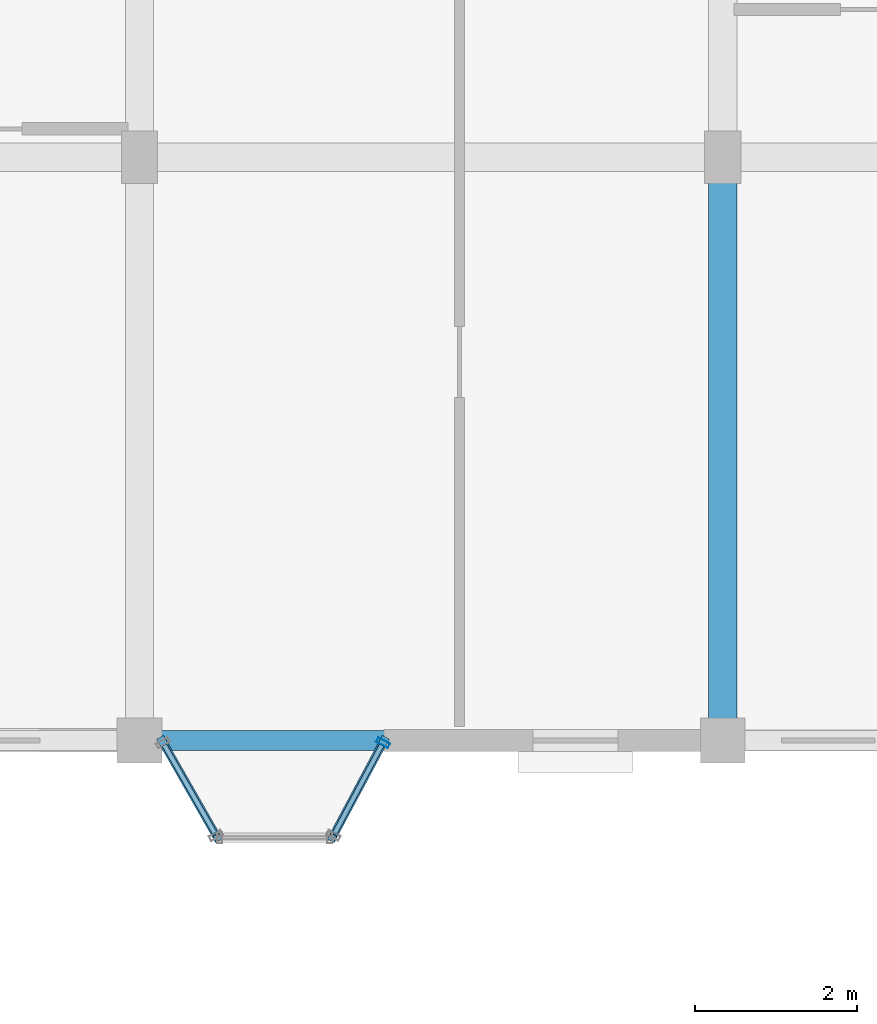
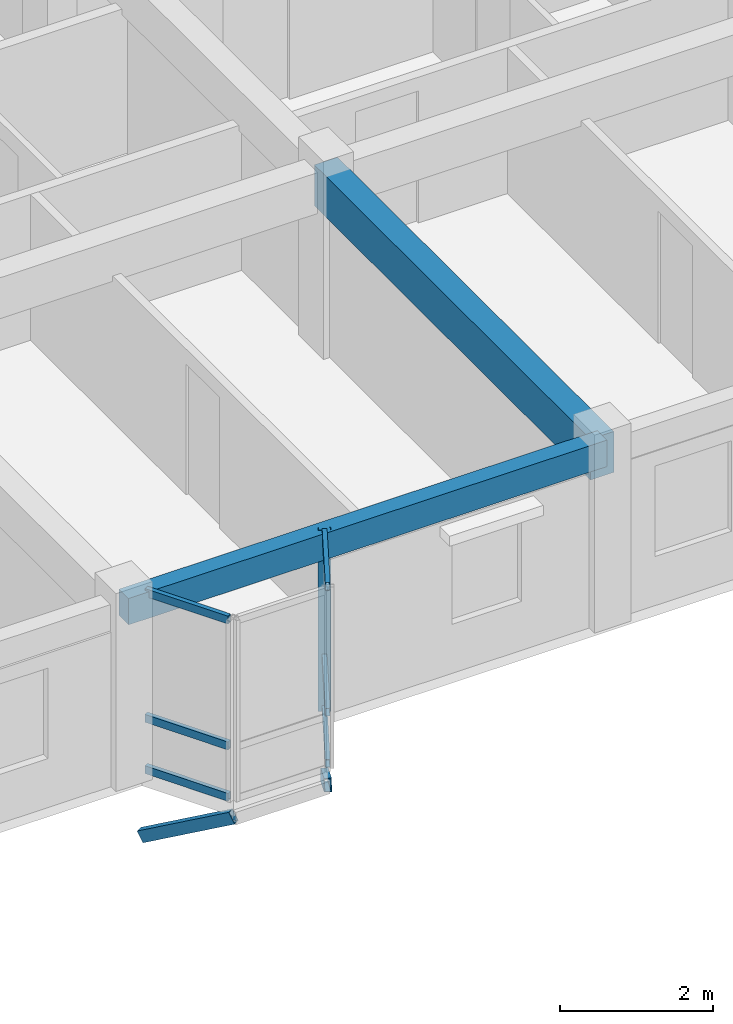
# One storey, part 34 of 77: 9 members, 2 beams, 2 elements without a shape of their own.
"""IFC4 building model written with IfcOpenShell, lengths in metres."""

from ifc_helpers import new_model, si_unit, direction, frame, origin, origin_2d, place, context, subcontext, project, spatial, rectangle, hollow_rectangle, extrude, material, layer, layer_set, material_profile, profile_set, type_object, element, aggregate, save


model = new_model("IFC4")

# Units and contexts
model_context = context("Model", 3, precision=1e-05, world=origin(), true_north=direction((0.0, 1.0)))
body_context = subcontext(model_context, "Body", "Model", "MODEL_VIEW")
ifc_project = project(units=[si_unit("LENGTHUNIT", "METRE"), si_unit("AREAUNIT", "SQUARE_METRE"), si_unit("VOLUMEUNIT", "CUBIC_METRE"), si_unit("PLANEANGLEUNIT", "RADIAN"), si_unit("MASSUNIT", "GRAM", prefix="KILO"), si_unit("THERMODYNAMICTEMPERATUREUNIT", "KELVIN"), si_unit("POWERUNIT", "WATT")], contexts=[model_context])

# Site, building, storey
site_placement = place(None, origin())
site = spatial("IfcSite", under=ifc_project, at=site_placement, CompositionType="ELEMENT")
building_placement = place(site_placement, origin())
building = spatial("IfcBuilding", under=site, at=building_placement, Name="Tavuni Mirador Residences", CompositionType="ELEMENT")
storey_placement = place(building_placement, frame((0.0, 0.0, 10.800048828125)))
storey = spatial("IfcBuildingStorey", under=building, at=storey_placement, Name="L03", CompositionType="ELEMENT", Elevation=10.800048828125)

# Beams
ifc_material_1 = material(Name="Precast concrete C40/50", Category="concrete")
ifc_material_profile_1 = material_profile(ifc_material_1, rectangle(XDim=0.35009765625, YDim=0.64990234375, at=origin_2d()), Name="PC 350x650", Category="concrete")
ifc_profile_set_1 = profile_set([ifc_material_profile_1], Name="Precast concrete C40/50")
beam_type_1 = type_object("IfcBeamType", Name="BT-B650", PredefinedType="BEAM", material=ifc_profile_set_1)
beam_1_placement = place(storey_placement, frame((25.199951171875, 144.0, 2.56005859375), z_axis=(0.0, 1.0, 0.0), x_axis=(-1.0, 0.0, 0.0)))
element("IfcBeam", 1, at=beam_1_placement, inside=storey, type_object=beam_type_1, Name="BMY-BLK-C-L03-02-00", PredefinedType="BEAM", context=body_context, shape_type="SweptSolid", body=[
    extrude(rectangle(XDim=0.35009765625, YDim=0.64990234375, at=origin_2d()), origin(), (0.0, 0.0, 1.0), 7.199951171875),
])
ifc_material_profile_2 = material_profile(ifc_material_1, rectangle(XDim=0.25, YDim=0.419921875, at=origin_2d()), Name="PC 250x420", Category="concrete")
ifc_profile_set_2 = profile_set([ifc_material_profile_2], Name="Precast concrete C40/50")
beam_type_2 = type_object("IfcBeamType", Name="BT-SP420", PredefinedType="SPANDREL", material=ifc_profile_set_2)
beam_2_placement = place(storey_placement, frame((18.0, 144.0, 2.675048828125), z_axis=(1.0, 0.0, 0.0), x_axis=(0.0, 1.0, 0.0)))
element("IfcBeam", 2, at=beam_2_placement, inside=storey, type_object=beam_type_2, Name="BMX-BLK-C-L03-01-00", PredefinedType="SPANDREL", context=body_context, shape_type="SweptSolid", body=[
    extrude(rectangle(XDim=0.25, YDim=0.419921875, at=origin_2d()), origin(), (0.0, 0.0, 1.0), 7.199951171875),
])

# Curtain wall, member
ifc_material_2 = material(Name="Anodised aluminium", Category="aluminium")
ifc_layer_1 = layer(ifc_material_2, 0.14990234375, Name="Anodised aluminium", Category="aluminium")
ifc_layer_set_1 = layer_set([ifc_layer_1], Name="Anodised aluminium")
curtain_wall_type_1 = type_object("IfcCurtainWallType", Name="CWT-MIR-B", PredefinedType="NOTDEFINED", material=ifc_layer_set_1)
curtain_wall_1_placement = place(storey_placement, origin())
curtain_wall_1 = element("IfcCurtainWall", 3, at=curtain_wall_1_placement, inside=storey, type_object=curtain_wall_type_1, Name="CW-MIR-C-S1-L03-M2", PredefinedType="NOTDEFINED")
ifc_material_profile_3 = material_profile(ifc_material_2, hollow_rectangle(XDim=0.06494140625, YDim=0.1650390625, WallThickness=0.00439453125, at=origin_2d()), Name="ALU 65x165x4.5", Category="aluminium")
ifc_profile_set_3 = profile_set([ifc_material_profile_3], Name="Anodised aluminium")
member_type_1 = type_object("IfcMemberType", Name="CWM-165", PredefinedType="MULLION", material=ifc_profile_set_3)
member_1_placement = place(storey_placement, frame((21.004638671875, 143.971435546875, 0.0), z_axis=(0.0, 0.0, 1.0), x_axis=(0.470588235296, 0.882352941175, 0.0)))
member_1 = element("IfcMember", 4, at=member_1_placement, type_object=member_type_1, Name="CW-02 mullion 2", PredefinedType="MULLION", context=body_context, shape_type="SweptSolid", body=[
    extrude(hollow_rectangle(XDim=0.06494140625, YDim=0.1650390625, WallThickness=0.00439453125, at=origin_2d()), origin(), (0.0, 0.0, 1.0), 2.885009765625),
])

# Curtain wall, members
ifc_layer_2 = layer(ifc_material_2, 0.159912109375, Name="Anodised aluminium", Category="aluminium")
ifc_layer_set_2 = layer_set([ifc_layer_2], Name="Anodised aluminium")
curtain_wall_type_2 = type_object("IfcCurtainWallType", Name="CWT-MIR-D", PredefinedType="NOTDEFINED", material=ifc_layer_set_2)
curtain_wall_2_placement = place(storey_placement, origin())
curtain_wall_2 = element("IfcCurtainWall", 5, at=curtain_wall_2_placement, inside=storey, type_object=curtain_wall_type_2, Name="CW-MIR-C-S1-L03-M1", PredefinedType="NOTDEFINED")
ifc_material_profile_4 = material_profile(ifc_material_2, hollow_rectangle(XDim=0.06494140625, YDim=0.125, WallThickness=0.00439453125, at=origin_2d()), Name="ALU 65x125x4.5", Category="aluminium")
ifc_profile_set_4 = profile_set([ifc_material_profile_4], Name="Anodised aluminium")
member_type_2 = type_object("IfcMemberType", Name="CWT-125", PredefinedType="USERDEFINED", material=ifc_profile_set_4)
member_2_placement = place(storey_placement, frame((18.30712890625, 143.943603515625, 0.032470703125), z_axis=(0.495760837306, -0.868459090685, 0.0), x_axis=(0.868459090685, 0.495760837306, 0.0)))
member_2 = element("IfcMember", 6, at=member_2_placement, type_object=member_type_2, Name="CW-04 transom 1.1", ObjectType="TRANSOM", PredefinedType="USERDEFINED", context=body_context, shape_type="SweptSolid", body=[
    extrude(hollow_rectangle(XDim=0.06494140625, YDim=0.125, WallThickness=0.00439453125, at=origin_2d()), origin(), (0.0, 0.0, 1.0), 1.251708984375),
])
member_3_placement = place(storey_placement, frame((18.30712890625, 143.943603515625, 0.849853515625), z_axis=(0.495760837306, -0.868459090685, 0.0), x_axis=(0.868459090685, 0.495760837306, 0.0)))
member_3 = element("IfcMember", 7, at=member_3_placement, type_object=member_type_2, Name="CW-04 transom 1.2", ObjectType="TRANSOM", PredefinedType="USERDEFINED", context=body_context, shape_type="SweptSolid", body=[
    extrude(hollow_rectangle(XDim=0.06494140625, YDim=0.125, WallThickness=0.00439453125, at=origin_2d()), origin(), (0.0, 0.0, 1.0), 1.251708984375),
])
member_4_placement = place(storey_placement, frame((18.30712890625, 143.943603515625, 2.8525390625), z_axis=(0.495760837306, -0.868459090685, 0.0), x_axis=(0.868459090685, 0.495760837306, 0.0)))
member_4 = element("IfcMember", 8, at=member_4_placement, type_object=member_type_2, Name="CW-04 transom 1.3", ObjectType="TRANSOM", PredefinedType="USERDEFINED", context=body_context, shape_type="SweptSolid", body=[
    extrude(hollow_rectangle(XDim=0.06494140625, YDim=0.125, WallThickness=0.00439453125, at=origin_2d()), origin(), (0.0, 0.0, 1.0), 1.251708984375),
])
aggregate(curtain_wall_2, [member_2, member_3, member_4])

# Member
member_5_placement = place(storey_placement, frame((20.41064453125, 142.857421875, 0.032470703125), z_axis=(0.470639747922, 0.882325465843, 0.0), x_axis=(-0.882325465843, 0.470639747922, 0.0)))
member_5 = element("IfcMember", 9, at=member_5_placement, type_object=member_type_2, Name="CW-02 transom 1.1", ObjectType="TRANSOM", PredefinedType="USERDEFINED", context=body_context, shape_type="SweptSolid", body=[
    extrude(hollow_rectangle(XDim=0.06494140625, YDim=0.125, WallThickness=0.00439453125, at=origin_2d()), origin(), (0.0, 0.0, 1.0), 1.22998046875),
])

member_6_placement = place(storey_placement, frame((20.41064453125, 142.857421875, 0.849853515625), z_axis=(0.470639747922, 0.882325465843, 0.0), x_axis=(-0.882325465843, 0.470639747922, 0.0)))
member_6 = element("IfcMember", 10, at=member_6_placement, type_object=member_type_2, Name="CW-02 transom 1.2", ObjectType="TRANSOM", PredefinedType="USERDEFINED", context=body_context, shape_type="SweptSolid", body=[
    extrude(hollow_rectangle(XDim=0.06494140625, YDim=0.125, WallThickness=0.00439453125, at=origin_2d()), origin(), (0.0, 0.0, 1.0), 1.22998046875),
])

member_7_placement = place(storey_placement, frame((20.41064453125, 142.857421875, 2.8525390625), z_axis=(0.470639747922, 0.882325465843, 0.0), x_axis=(-0.882325465843, 0.470639747922, 0.0)))
member_7 = element("IfcMember", 11, at=member_7_placement, type_object=member_type_2, Name="CW-02 transom 1.3", ObjectType="TRANSOM", PredefinedType="USERDEFINED", context=body_context, shape_type="SweptSolid", body=[
    extrude(hollow_rectangle(XDim=0.06494140625, YDim=0.125, WallThickness=0.00439453125, at=origin_2d()), origin(), (0.0, 0.0, 1.0), 1.22998046875),
])

aggregate(curtain_wall_1, [member_1, member_5, member_6, member_7])

# Members
ifc_material_3 = material(Name="Structural steel S355", Category="steel")
ifc_material_profile_5 = material_profile(ifc_material_3, hollow_rectangle(XDim=0.10009765625, YDim=0.179931640625, WallThickness=0.008056640625, at=origin_2d()), Name="RHS 180x100x8.0", Category="steel")
ifc_profile_set_5 = profile_set([ifc_material_profile_5], Name="Structural steel S355")
member_type_3 = type_object("IfcMemberType", Name="MT-BR-RHS180", PredefinedType="BRACE", material=ifc_profile_set_5)
member_8_placement = place(storey_placement, frame((18.27490234375, 144.0, -1.050048828125), z_axis=(0.431095380922, -0.755108267011, 0.493931450344), x_axis=(0.868438794398, 0.495796390047, 0.0)))
element("IfcMember", 12, at=member_8_placement, inside=storey, type_object=member_type_3, Name="MBRK-MIR-C-S1-L03-1", PredefinedType="BRACE", context=body_context, shape_type="SweptSolid", body=[
    extrude(hollow_rectangle(XDim=0.10009765625, YDim=0.179931640625, WallThickness=0.008056640625, at=origin_2d()), origin(), (0.0, 0.0, 1.0), 1.589111328125),
])
member_9_placement = place(storey_placement, frame((21.02001953125, 144.0, -1.050048828125), z_axis=(-0.407660536563, -0.76416915988, 0.499858361956), x_axis=(0.882303244255, -0.470681405175, 0.0)))
element("IfcMember", 13, at=member_9_placement, inside=storey, type_object=member_type_3, Name="MBRK-MIR-C-S1-L03-2", PredefinedType="BRACE", context=body_context, shape_type="SweptSolid", body=[
    extrude(hollow_rectangle(XDim=0.10009765625, YDim=0.179931640625, WallThickness=0.008056640625, at=origin_2d()), origin(), (0.0, 0.0, 1.0), 1.5703125),
])

save(model, "model.ifc")
